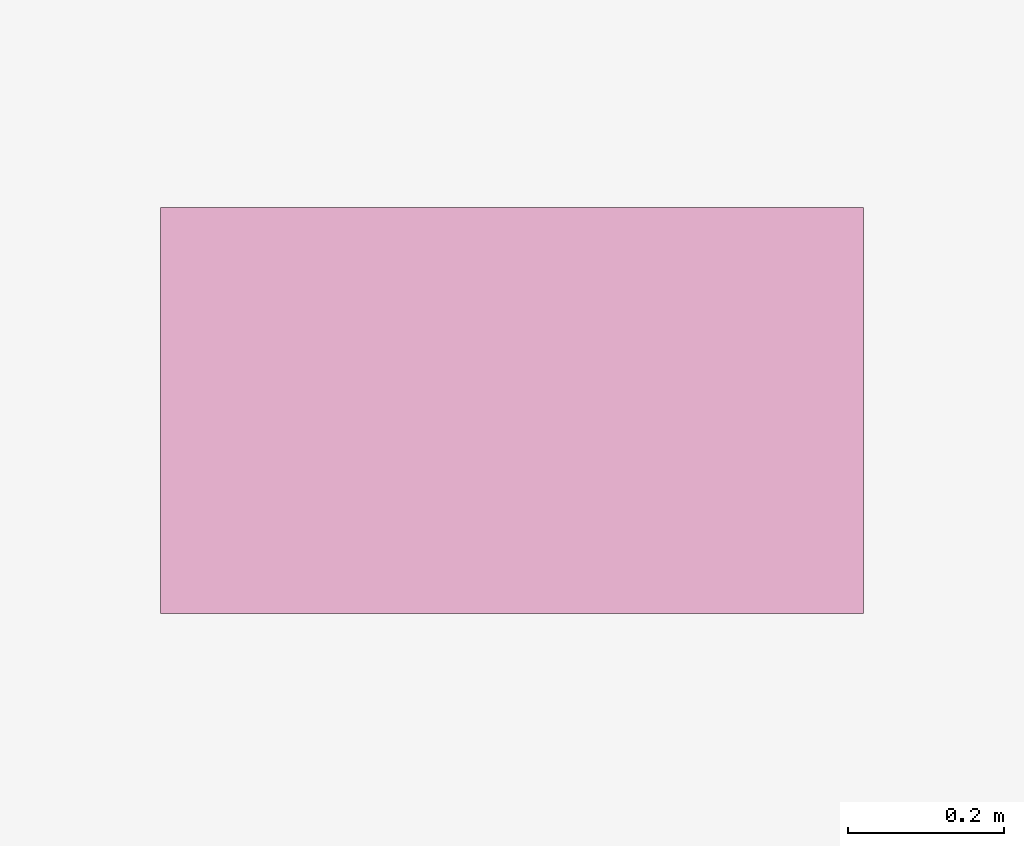
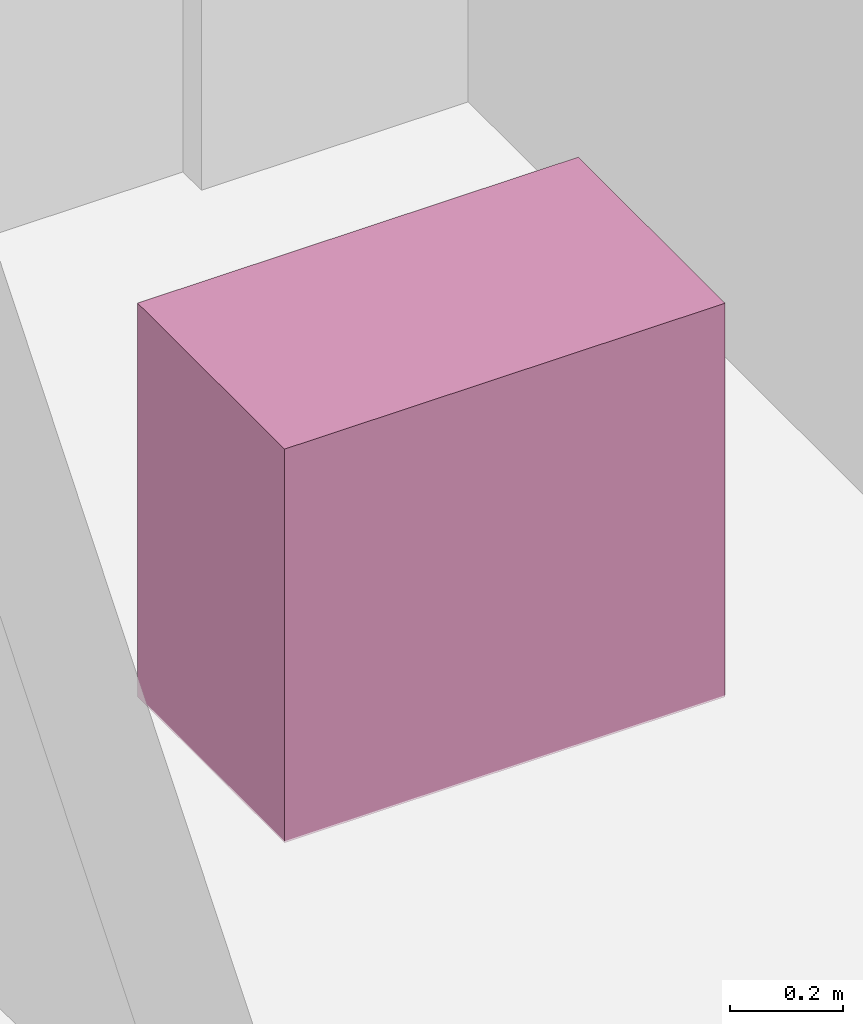
# One storey, part 33 of 33: 1 furnishing.
"""IFC4 building model written with IfcOpenShell, lengths in metres."""

from ifc_helpers import new_model, si_unit, direction, frame, origin, origin_2d, place, context, subcontext, project, spatial, rectangle, extrude, material, type_object, element, save


model = new_model("IFC4")

# Units and contexts
model_context = context("Model", 3, precision=1e-05, world=origin(), true_north=direction((0.0, 1.0)))
body_context = subcontext(model_context, "Body", "Model", "MODEL_VIEW")
ifc_project = project(units=[si_unit("LENGTHUNIT", "METRE"), si_unit("AREAUNIT", "SQUARE_METRE"), si_unit("VOLUMEUNIT", "CUBIC_METRE"), si_unit("PLANEANGLEUNIT", "RADIAN"), si_unit("MASSUNIT", "GRAM", prefix="KILO")], contexts=[model_context])

# Site, building, storey
site_placement = place(None, origin())
site = spatial("IfcSite", under=ifc_project, at=site_placement, CompositionType="ELEMENT")
building_placement = place(site_placement, origin())
building = spatial("IfcBuilding", under=site, at=building_placement, Name="Vorneva Point Tower", CompositionType="ELEMENT")
storey_placement = place(building_placement, frame((0.0, 0.0, 217.85009765625)))
storey = spatial("IfcBuildingStorey", under=building, at=storey_placement, Name="L59", CompositionType="ELEMENT", Elevation=217.85009765625)

# Furnishing
ifc_material = material(Name="Vitreous china and granite top", Category="masonry")
furniture_type = type_object("IfcFurnitureType", Name="FUR-VAN-900", AssemblyPlace="NOTDEFINED", PredefinedType="NOTDEFINED", material=ifc_material)
furnishing_placement = place(storey_placement, frame((34.52490234375, 32.1201171875, -0.005126953125), z_axis=(0.0, 0.0, 1.0), x_axis=(1.0, 0.0, 0.0)))
element("IfcFurnishingElement", 1, at=furnishing_placement, inside=storey, type_object=furniture_type, Name="L59 Accessible WC Vanity Unit", ObjectType="L59 Accessible WC Vanity Unit", context=body_context, shape_type="SweptSolid", body=[
    extrude(rectangle(XDim=0.89990234375, YDim=0.52001953125, at=origin_2d()), origin(), (0.0, 0.0, 1.0), 0.85009765625),
])

save(model, "model.ifc")
